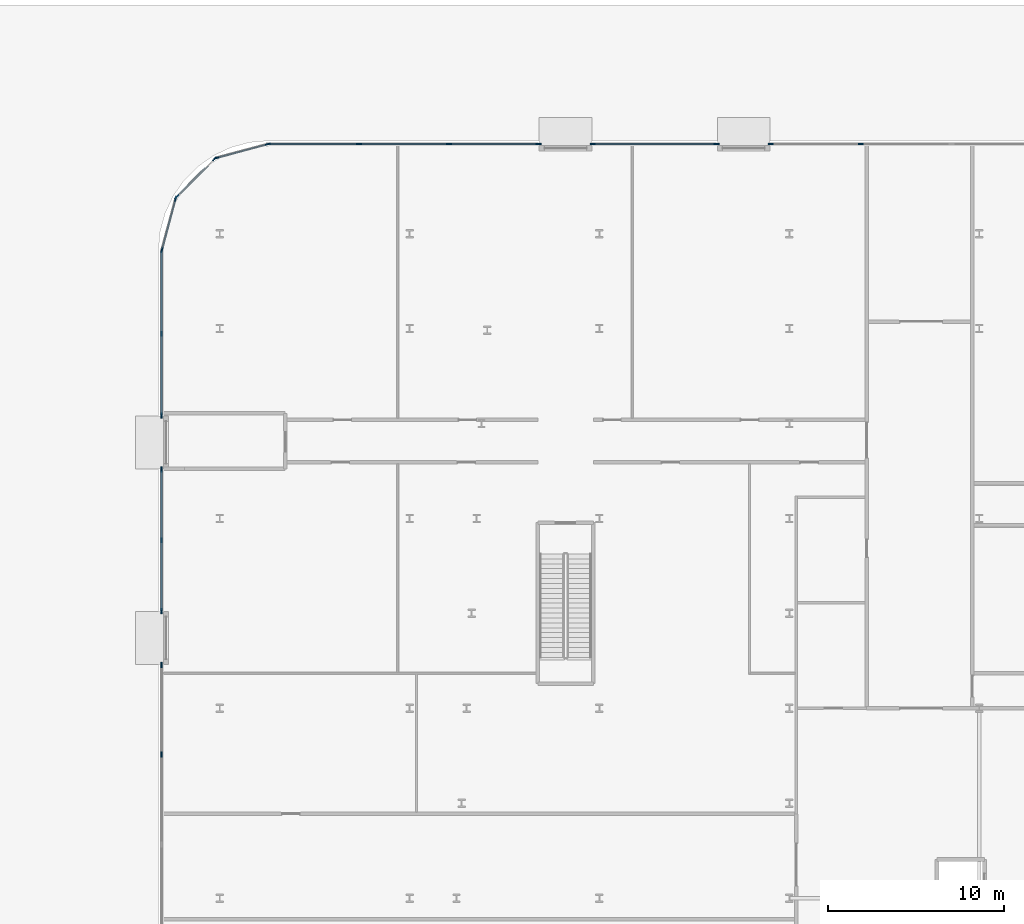
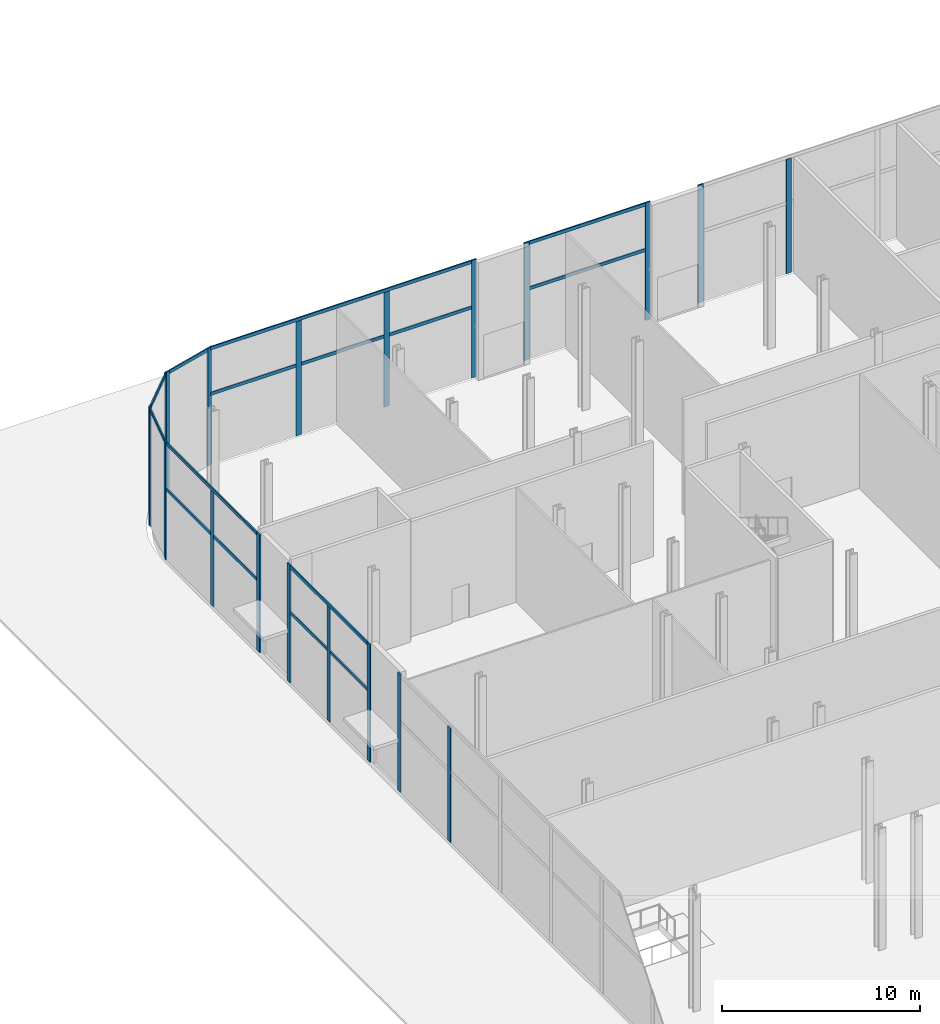
# One storey, part 12 of 46: 31 members, 9 elements without a shape of their own.
"""IFC4 building model written with IfcOpenShell, lengths in metres."""

from ifc_helpers import new_model, si_unit, direction, frame, origin, origin_2d, place, context, subcontext, project, spatial, rectangle, extrude, material, layer, layer_set, material_profile, profile_set, type_object, element, aggregate, save


model = new_model("IFC4")

# Units and contexts
model_context = context("Model", 3, precision=1e-05, world=origin(), true_north=direction((0.0, 1.0)))
body_context = subcontext(model_context, "Body", "Model", "MODEL_VIEW")
ifc_project = project(units=[si_unit("LENGTHUNIT", "METRE"), si_unit("AREAUNIT", "SQUARE_METRE"), si_unit("VOLUMEUNIT", "CUBIC_METRE"), si_unit("PLANEANGLEUNIT", "RADIAN"), si_unit("MASSUNIT", "GRAM", prefix="KILO")], contexts=[model_context])

# Site, building, storey
site_placement = place(None, origin())
site = spatial("IfcSite", under=ifc_project, at=site_placement, CompositionType="ELEMENT")
building_placement = place(site_placement, origin())
building = spatial("IfcBuilding", under=site, at=building_placement, Name="Kheshtan School and Residences Tower", CompositionType="ELEMENT")
storey_placement = place(building_placement, origin())
storey = spatial("IfcBuildingStorey", under=building, at=storey_placement, Name="L00", CompositionType="ELEMENT", Elevation=0.0)

# Curtain wall, members
ifc_material_1 = material(Name="Clear low-e glass in thermally broken aluminium frame", Category="aluminium")
ifc_layer = layer(ifc_material_1, 0.300048828125)
ifc_layer_set = layer_set([ifc_layer], Name="Curtain wall CW-A")
curtain_wall_type = type_object("IfcCurtainWallType", Name="Curtain wall CW-A", PredefinedType="NOTDEFINED", material=ifc_layer_set)
curtain_wall_1_placement = place(storey_placement, origin())
curtain_wall_1 = element("IfcCurtainWall", 1, at=curtain_wall_1_placement, inside=storey, type_object=curtain_wall_type, Name="Curtain wall CWA1", PredefinedType="NOTDEFINED")
ifc_material_2 = material(Name="Thermally broken aluminium, dark bronze anodised", Category="aluminium")
ifc_material_profile_1 = material_profile(ifc_material_2, rectangle(XDim=0.074951171875, YDim=0.300048828125, at=origin_2d()), Name="CW-A mullion 75x300")
ifc_profile_set_1 = profile_set([ifc_material_profile_1], Name="Thermally broken aluminium, dark bronze anodised")
member_type_1 = type_object("IfcMemberType", Name="CW-A mullion 75x300", PredefinedType="MULLION", material=ifc_profile_set_1)
member_1_placement = place(storey_placement, frame((11.9130859375, 104.06201171875, 0.0), z_axis=(0.0, 0.0, 1.0), x_axis=(-0.965913556273, 0.258864833085, 0.0)))
member_1 = element("IfcMember", 2, at=member_1_placement, type_object=member_type_1, Name="CWA1 mullion 1", PredefinedType="MULLION", context=body_context, shape_type="SweptSolid", body=[
    extrude(rectangle(XDim=0.074951171875, YDim=0.300048828125, at=origin_2d()), origin(), (0.0, 0.0, 1.0), 7.25),
])
member_2_placement = place(storey_placement, frame((12.69775390625, 106.98974609375, 0.0), z_axis=(0.0, 0.0, 1.0), x_axis=(-0.965913556273, 0.258864833085, 0.0)))
member_2 = element("IfcMember", 3, at=member_2_placement, type_object=member_type_1, Name="CWA1 mullion 2", PredefinedType="MULLION", context=body_context, shape_type="SweptSolid", body=[
    extrude(rectangle(XDim=0.074951171875, YDim=0.300048828125, at=origin_2d()), origin(), (0.0, 0.0, 1.0), 7.25),
])

curtain_wall_2_placement = place(storey_placement, origin())
curtain_wall_2 = element("IfcCurtainWall", 4, at=curtain_wall_2_placement, inside=storey, type_object=curtain_wall_type, Name="Curtain wall CWA2", PredefinedType="NOTDEFINED")
member_3_placement = place(storey_placement, frame((12.759765625, 107.09716796875, 0.0), z_axis=(0.0, 0.0, 1.0), x_axis=(-0.707106781187, 0.707106781187, 0.0)))
member_3 = element("IfcMember", 5, at=member_3_placement, type_object=member_type_1, Name="CWA2 mullion 1", PredefinedType="MULLION", context=body_context, shape_type="SweptSolid", body=[
    extrude(rectangle(XDim=0.074951171875, YDim=0.300048828125, at=origin_2d()), origin(), (0.0, 0.0, 1.0), 7.25),
])
member_4_placement = place(storey_placement, frame((14.90283203125, 109.240234375, 0.0), z_axis=(0.0, 0.0, 1.0), x_axis=(-0.707106781187, 0.707106781187, 0.0)))
member_4 = element("IfcMember", 6, at=member_4_placement, type_object=member_type_1, Name="CWA2 mullion 2", PredefinedType="MULLION", context=body_context, shape_type="SweptSolid", body=[
    extrude(rectangle(XDim=0.074951171875, YDim=0.300048828125, at=origin_2d()), origin(), (0.0, 0.0, 1.0), 7.25),
])

curtain_wall_3_placement = place(storey_placement, origin())
curtain_wall_3 = element("IfcCurtainWall", 7, at=curtain_wall_3_placement, inside=storey, type_object=curtain_wall_type, Name="Curtain wall CWA3", PredefinedType="NOTDEFINED")
member_5_placement = place(storey_placement, frame((15.01025390625, 109.30224609375, 0.0), z_axis=(0.0, 0.0, 1.0), x_axis=(-0.258864833085, 0.965913556273, 0.0)))
member_5 = element("IfcMember", 8, at=member_5_placement, type_object=member_type_1, Name="CWA3 mullion 1", PredefinedType="MULLION", context=body_context, shape_type="SweptSolid", body=[
    extrude(rectangle(XDim=0.074951171875, YDim=0.300048828125, at=origin_2d()), origin(), (0.0, 0.0, 1.0), 7.25),
])
member_6_placement = place(storey_placement, frame((17.93798828125, 110.0869140625, 0.0), z_axis=(0.0, 0.0, 1.0), x_axis=(-0.258864833085, 0.965913556273, 0.0)))
member_6 = element("IfcMember", 9, at=member_6_placement, type_object=member_type_1, Name="CWA3 mullion 2", PredefinedType="MULLION", context=body_context, shape_type="SweptSolid", body=[
    extrude(rectangle(XDim=0.074951171875, YDim=0.300048828125, at=origin_2d()), origin(), (0.0, 0.0, 1.0), 7.25),
])

curtain_wall_4_placement = place(storey_placement, origin())
curtain_wall_4 = element("IfcCurtainWall", 10, at=curtain_wall_4_placement, inside=storey, type_object=curtain_wall_type, Name="Curtain wall CWA4", PredefinedType="NOTDEFINED")
member_7_placement = place(storey_placement, frame((23.125, 110.10009765625, 0.0), z_axis=(0.0, 0.0, 1.0), x_axis=(0.0, 1.0, 0.0)))
member_7 = element("IfcMember", 11, at=member_7_placement, type_object=member_type_1, Name="CWA4 mullion 2", PredefinedType="MULLION", context=body_context, shape_type="SweptSolid", body=[
    extrude(rectangle(XDim=0.074951171875, YDim=0.300048828125, at=origin_2d()), origin(), (0.0, 0.0, 1.0), 7.050048828125),
])
member_8_placement = place(storey_placement, frame((28.25, 110.10009765625, 0.0), z_axis=(0.0, 0.0, 1.0), x_axis=(0.0, 1.0, 0.0)))
member_8 = element("IfcMember", 12, at=member_8_placement, type_object=member_type_1, Name="CWA4 mullion 3", PredefinedType="MULLION", context=body_context, shape_type="SweptSolid", body=[
    extrude(rectangle(XDim=0.074951171875, YDim=0.300048828125, at=origin_2d()), origin(), (0.0, 0.0, 1.0), 7.050048828125),
])
member_9_placement = place(storey_placement, frame((33.33740234375, 110.10009765625, 0.0), z_axis=(0.0, 0.0, 1.0), x_axis=(0.0, 1.0, 0.0)))
member_9 = element("IfcMember", 13, at=member_9_placement, type_object=member_type_1, Name="CWA4 mullion 4", PredefinedType="MULLION", context=body_context, shape_type="SweptSolid", body=[
    extrude(rectangle(XDim=0.074951171875, YDim=0.300048828125, at=origin_2d()), origin(), (0.0, 0.0, 1.0), 7.25),
])

curtain_wall_5_placement = place(storey_placement, origin())
curtain_wall_5 = element("IfcCurtainWall", 14, at=curtain_wall_5_placement, inside=storey, type_object=curtain_wall_type, Name="Curtain wall CWA4a", PredefinedType="NOTDEFINED")
member_10_placement = place(storey_placement, frame((36.41259765625, 110.10009765625, 0.0), z_axis=(0.0, 0.0, 1.0), x_axis=(0.0, 1.0, 0.0)))
member_10 = element("IfcMember", 15, at=member_10_placement, type_object=member_type_1, Name="CWA4a mullion 1", PredefinedType="MULLION", context=body_context, shape_type="SweptSolid", body=[
    extrude(rectangle(XDim=0.074951171875, YDim=0.300048828125, at=origin_2d()), origin(), (0.0, 0.0, 1.0), 7.25),
])
member_11_placement = place(storey_placement, frame((43.46240234375, 110.10009765625, 0.0), z_axis=(0.0, 0.0, 1.0), x_axis=(0.0, 1.0, 0.0)))
member_11 = element("IfcMember", 16, at=member_11_placement, type_object=member_type_1, Name="CWA4a mullion 2", PredefinedType="MULLION", context=body_context, shape_type="SweptSolid", body=[
    extrude(rectangle(XDim=0.074951171875, YDim=0.300048828125, at=origin_2d()), origin(), (0.0, 0.0, 1.0), 7.25),
])

curtain_wall_6_placement = place(storey_placement, origin())
curtain_wall_6 = element("IfcCurtainWall", 17, at=curtain_wall_6_placement, inside=storey, type_object=curtain_wall_type, Name="Curtain wall CWA4b", PredefinedType="NOTDEFINED")
member_12_placement = place(storey_placement, frame((46.53759765625, 110.10009765625, 0.0), z_axis=(0.0, 0.0, 1.0), x_axis=(0.0, 1.0, 0.0)))
member_12 = element("IfcMember", 18, at=member_12_placement, type_object=member_type_1, Name="CWA4b mullion 1", PredefinedType="MULLION", context=body_context, shape_type="SweptSolid", body=[
    extrude(rectangle(XDim=0.074951171875, YDim=0.300048828125, at=origin_2d()), origin(), (0.0, 0.0, 1.0), 7.25),
])
member_13_placement = place(storey_placement, frame((51.663330078125, 110.10009765625, 0.0), z_axis=(0.0, 0.0, 1.0), x_axis=(0.0, 1.0, 0.0)))
member_13 = element("IfcMember", 19, at=member_13_placement, type_object=member_type_1, Name="CWA4b mullion 2", PredefinedType="MULLION", context=body_context, shape_type="SweptSolid", body=[
    extrude(rectangle(XDim=0.074951171875, YDim=0.300048828125, at=origin_2d()), origin(), (0.0, 0.0, 1.0), 7.050048828125),
])
aggregate(curtain_wall_6, [member_12, member_13])

curtain_wall_7_placement = place(storey_placement, origin())
curtain_wall_7 = element("IfcCurtainWall", 20, at=curtain_wall_7_placement, inside=storey, type_object=curtain_wall_type, Name="Curtain wall CWA16a", PredefinedType="NOTDEFINED")
member_14_placement = place(storey_placement, frame((11.89990234375, 75.375, 0.0), z_axis=(0.0, 0.0, 1.0), x_axis=(-1.0, 0.0, 0.0)))
member_14 = element("IfcMember", 21, at=member_14_placement, type_object=member_type_1, Name="CWA16a mullion 8", PredefinedType="MULLION", context=body_context, shape_type="SweptSolid", body=[
    extrude(rectangle(XDim=0.074951171875, YDim=0.300048828125, at=origin_2d()), origin(), (0.0, 0.0, 1.0), 7.050048828125),
])
member_15_placement = place(storey_placement, frame((11.89990234375, 80.46240234375, 0.0), z_axis=(0.0, 0.0, 1.0), x_axis=(-1.0, 0.0, 0.0)))
member_15 = element("IfcMember", 22, at=member_15_placement, type_object=member_type_1, Name="CWA16a mullion 9", PredefinedType="MULLION", context=body_context, shape_type="SweptSolid", body=[
    extrude(rectangle(XDim=0.074951171875, YDim=0.300048828125, at=origin_2d()), origin(), (0.0, 0.0, 1.0), 7.25),
])
aggregate(curtain_wall_7, [member_14, member_15])

curtain_wall_8_placement = place(storey_placement, origin())
curtain_wall_8 = element("IfcCurtainWall", 23, at=curtain_wall_8_placement, inside=storey, type_object=curtain_wall_type, Name="Curtain wall CWA16b", PredefinedType="NOTDEFINED")
member_16_placement = place(storey_placement, frame((11.89990234375, 83.53759765625, 0.0), z_axis=(0.0, 0.0, 1.0), x_axis=(-1.0, 0.0, 0.0)))
member_16 = element("IfcMember", 24, at=member_16_placement, type_object=member_type_1, Name="CWA16b mullion 1", PredefinedType="MULLION", context=body_context, shape_type="SweptSolid", body=[
    extrude(rectangle(XDim=0.074951171875, YDim=0.300048828125, at=origin_2d()), origin(), (0.0, 0.0, 1.0), 7.25),
])
member_17_placement = place(storey_placement, frame((11.89990234375, 87.5576171875, 0.0), z_axis=(0.0, 0.0, 1.0), x_axis=(-1.0, 0.0, 0.0)))
member_17 = element("IfcMember", 25, at=member_17_placement, type_object=member_type_1, Name="CWA16b mullion 2", PredefinedType="MULLION", context=body_context, shape_type="SweptSolid", body=[
    extrude(rectangle(XDim=0.074951171875, YDim=0.300048828125, at=origin_2d()), origin(), (0.0, 0.0, 1.0), 7.050048828125),
])
member_18_placement = place(storey_placement, frame((11.89990234375, 91.577392578125, 0.0), z_axis=(0.0, 0.0, 1.0), x_axis=(-1.0, 0.0, 0.0)))
member_18 = element("IfcMember", 26, at=member_18_placement, type_object=member_type_1, Name="CWA16b mullion 3", PredefinedType="MULLION", context=body_context, shape_type="SweptSolid", body=[
    extrude(rectangle(XDim=0.074951171875, YDim=0.300048828125, at=origin_2d()), origin(), (0.0, 0.0, 1.0), 7.25),
])

curtain_wall_9_placement = place(storey_placement, origin())
curtain_wall_9 = element("IfcCurtainWall", 27, at=curtain_wall_9_placement, inside=storey, type_object=curtain_wall_type, Name="Curtain wall CWA16c", PredefinedType="NOTDEFINED")
member_19_placement = place(storey_placement, frame((11.89990234375, 94.652587890625, 0.0), z_axis=(0.0, 0.0, 1.0), x_axis=(-1.0, 0.0, 0.0)))
member_19 = element("IfcMember", 28, at=member_19_placement, type_object=member_type_1, Name="CWA16c mullion 1", PredefinedType="MULLION", context=body_context, shape_type="SweptSolid", body=[
    extrude(rectangle(XDim=0.074951171875, YDim=0.300048828125, at=origin_2d()), origin(), (0.0, 0.0, 1.0), 7.25),
])
member_20_placement = place(storey_placement, frame((11.89990234375, 99.3076171875, 0.0), z_axis=(0.0, 0.0, 1.0), x_axis=(-1.0, 0.0, 0.0)))
member_20 = element("IfcMember", 29, at=member_20_placement, type_object=member_type_1, Name="CWA16c mullion 2", PredefinedType="MULLION", context=body_context, shape_type="SweptSolid", body=[
    extrude(rectangle(XDim=0.074951171875, YDim=0.300048828125, at=origin_2d()), origin(), (0.0, 0.0, 1.0), 7.050048828125),
])

# Member
ifc_material_profile_2 = material_profile(ifc_material_2, rectangle(XDim=0.074951171875, YDim=0.199951171875, at=origin_2d()), Name="CW-A transom 75x200")
ifc_profile_set_2 = profile_set([ifc_material_profile_2], Name="Thermally broken aluminium, dark bronze anodised")
member_type_2 = type_object("IfcMemberType", Name="CW-A transom 75x200", PredefinedType="USERDEFINED", material=ifc_profile_set_2)
member_21_placement = place(storey_placement, frame((11.9228515625, 104.098388671875, 7.14990234375), z_axis=(0.258865449593, 0.965913391048, 0.0), x_axis=(-0.965913391048, 0.258865449593, 0.0)))
member_21 = element("IfcMember", 30, at=member_21_placement, type_object=member_type_2, Name="CWA1 transom 1", ObjectType="TRANSOM", PredefinedType="USERDEFINED", context=body_context, shape_type="SweptSolid", body=[
    extrude(rectangle(XDim=0.074951171875, YDim=0.199951171875, at=origin_2d()), origin(), (0.0, 0.0, 1.0), 2.955810546875),
])

aggregate(curtain_wall_1, [member_1, member_2, member_21])

member_22_placement = place(storey_placement, frame((12.786376953125, 107.123779296875, 7.14990234375), z_axis=(0.707106781187, 0.707106781187, 0.0), x_axis=(-0.707106781187, 0.707106781187, 0.0)))
member_22 = element("IfcMember", 31, at=member_22_placement, type_object=member_type_2, Name="CWA2 transom 1", ObjectType="TRANSOM", PredefinedType="USERDEFINED", context=body_context, shape_type="SweptSolid", body=[
    extrude(rectangle(XDim=0.074951171875, YDim=0.199951171875, at=origin_2d()), origin(), (0.0, 0.0, 1.0), 2.95556640625),
])

aggregate(curtain_wall_2, [member_3, member_4, member_22])

member_23_placement = place(storey_placement, frame((15.046630859375, 109.31201171875, 7.14990234375), z_axis=(0.965913391048, 0.258865449593, 0.0), x_axis=(-0.258865449593, 0.965913391048, 0.0)))
member_23 = element("IfcMember", 32, at=member_23_placement, type_object=member_type_2, Name="CWA3 transom 1", ObjectType="TRANSOM", PredefinedType="USERDEFINED", context=body_context, shape_type="SweptSolid", body=[
    extrude(rectangle(XDim=0.074951171875, YDim=0.199951171875, at=origin_2d()), origin(), (0.0, 0.0, 1.0), 2.955810546875),
])

aggregate(curtain_wall_3, [member_5, member_6, member_23])

member_24_placement = place(storey_placement, frame((17.975341796875, 110.10009765625, 4.35009765625), z_axis=(1.0, 0.0, 0.0), x_axis=(0.0, 1.0, 0.0)))
member_24 = element("IfcMember", 33, at=member_24_placement, type_object=member_type_2, Name="CWA4 transom 1", ObjectType="TRANSOM", PredefinedType="USERDEFINED", context=body_context, shape_type="SweptSolid", body=[
    extrude(rectangle(XDim=0.074951171875, YDim=0.199951171875, at=origin_2d()), origin(), (0.0, 0.0, 1.0), 15.32470703125),
])

member_25_placement = place(storey_placement, frame((17.975341796875, 110.10009765625, 7.14990234375), z_axis=(1.0, 0.0, 0.0), x_axis=(0.0, 1.0, 0.0)))
member_25 = element("IfcMember", 34, at=member_25_placement, type_object=member_type_2, Name="CWA4 transom 2", ObjectType="TRANSOM", PredefinedType="USERDEFINED", context=body_context, shape_type="SweptSolid", body=[
    extrude(rectangle(XDim=0.074951171875, YDim=0.199951171875, at=origin_2d()), origin(), (0.0, 0.0, 1.0), 15.32470703125),
])

aggregate(curtain_wall_4, [member_7, member_8, member_9, member_24, member_25])

member_26_placement = place(storey_placement, frame((36.449951171875, 110.10009765625, 4.35009765625), z_axis=(1.0, 0.0, 0.0), x_axis=(0.0, 1.0, 0.0)))
member_26 = element("IfcMember", 35, at=member_26_placement, type_object=member_type_2, Name="CWA4a transom 1", ObjectType="TRANSOM", PredefinedType="USERDEFINED", context=body_context, shape_type="SweptSolid", body=[
    extrude(rectangle(XDim=0.074951171875, YDim=0.199951171875, at=origin_2d()), origin(), (0.0, 0.0, 1.0), 6.97509765625),
])

member_27_placement = place(storey_placement, frame((36.449951171875, 110.10009765625, 7.14990234375), z_axis=(1.0, 0.0, 0.0), x_axis=(0.0, 1.0, 0.0)))
member_27 = element("IfcMember", 36, at=member_27_placement, type_object=member_type_2, Name="CWA4a transom 2", ObjectType="TRANSOM", PredefinedType="USERDEFINED", context=body_context, shape_type="SweptSolid", body=[
    extrude(rectangle(XDim=0.074951171875, YDim=0.199951171875, at=origin_2d()), origin(), (0.0, 0.0, 1.0), 6.97509765625),
])

aggregate(curtain_wall_5, [member_10, member_11, member_26, member_27])

member_28_placement = place(storey_placement, frame((11.89990234375, 83.574951171875, 4.35009765625), z_axis=(0.0, 1.0, 0.0), x_axis=(-1.0, 0.0, 0.0)))
member_28 = element("IfcMember", 37, at=member_28_placement, type_object=member_type_2, Name="CWA16b transom 1", ObjectType="TRANSOM", PredefinedType="USERDEFINED", context=body_context, shape_type="SweptSolid", body=[
    extrude(rectangle(XDim=0.074951171875, YDim=0.199951171875, at=origin_2d()), origin(), (0.0, 0.0, 1.0), 7.965087890625),
])

member_29_placement = place(storey_placement, frame((11.89990234375, 83.574951171875, 7.14990234375), z_axis=(0.0, 1.0, 0.0), x_axis=(-1.0, 0.0, 0.0)))
member_29 = element("IfcMember", 38, at=member_29_placement, type_object=member_type_2, Name="CWA16b transom 2", ObjectType="TRANSOM", PredefinedType="USERDEFINED", context=body_context, shape_type="SweptSolid", body=[
    extrude(rectangle(XDim=0.074951171875, YDim=0.199951171875, at=origin_2d()), origin(), (0.0, 0.0, 1.0), 7.965087890625),
])

aggregate(curtain_wall_8, [member_16, member_17, member_18, member_28, member_29])

member_30_placement = place(storey_placement, frame((11.89990234375, 94.68994140625, 4.35009765625), z_axis=(0.0, 1.0, 0.0), x_axis=(-1.0, 0.0, 0.0)))
member_30 = element("IfcMember", 39, at=member_30_placement, type_object=member_type_2, Name="CWA16c transom 1", ObjectType="TRANSOM", PredefinedType="USERDEFINED", context=body_context, shape_type="SweptSolid", body=[
    extrude(rectangle(XDim=0.074951171875, YDim=0.199951171875, at=origin_2d()), origin(), (0.0, 0.0, 1.0), 9.334716796875),
])

member_31_placement = place(storey_placement, frame((11.89990234375, 94.68994140625, 7.14990234375), z_axis=(0.0, 1.0, 0.0), x_axis=(-1.0, 0.0, 0.0)))
member_31 = element("IfcMember", 40, at=member_31_placement, type_object=member_type_2, Name="CWA16c transom 2", ObjectType="TRANSOM", PredefinedType="USERDEFINED", context=body_context, shape_type="SweptSolid", body=[
    extrude(rectangle(XDim=0.074951171875, YDim=0.199951171875, at=origin_2d()), origin(), (0.0, 0.0, 1.0), 9.334716796875),
])

aggregate(curtain_wall_9, [member_19, member_20, member_30, member_31])

save(model, "model.ifc")
